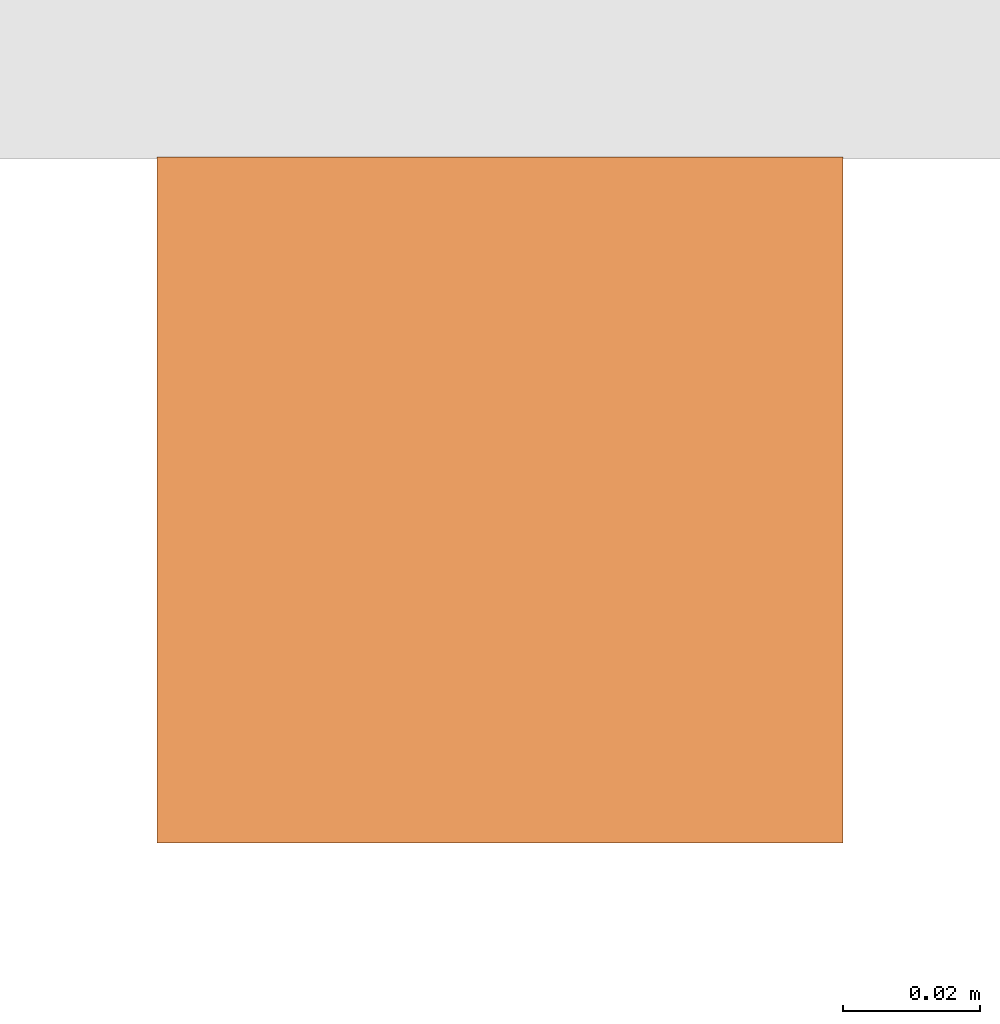
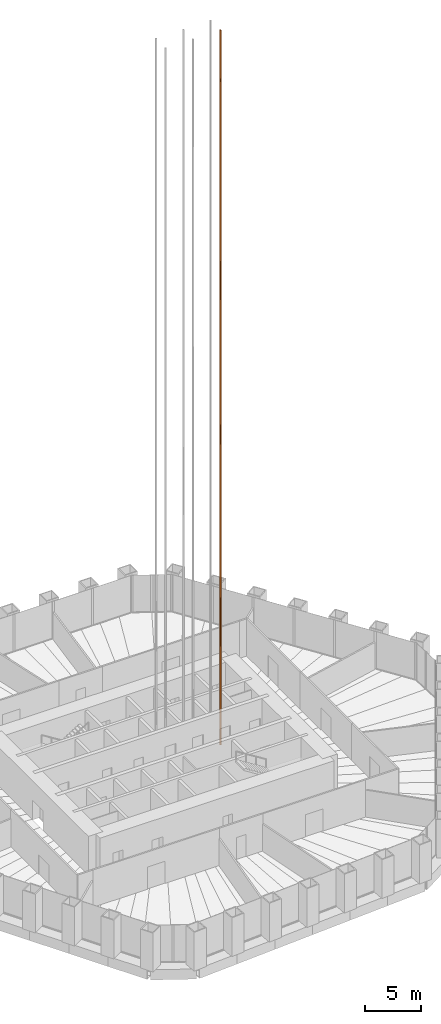
# One storey, part 19 of 20: 1 proxy.
"""IFC4 building model written with IfcOpenShell, lengths in metres."""

from ifc_helpers import new_model, si_unit, direction, frame, origin, origin_2d, place, context, subcontext, project, spatial, rectangle, extrude, material, type_object, element, save


model = new_model("IFC4")

# Units and contexts
model_context = context("Model", 3, precision=1e-05, world=origin(), true_north=direction((0.0, 1.0)))
body_context = subcontext(model_context, "Body", "Model", "MODEL_VIEW")
ifc_project = project(units=[si_unit("LENGTHUNIT", "METRE"), si_unit("AREAUNIT", "SQUARE_METRE"), si_unit("VOLUMEUNIT", "CUBIC_METRE"), si_unit("PLANEANGLEUNIT", "RADIAN"), si_unit("MASSUNIT", "GRAM", prefix="KILO")], contexts=[model_context])

# Site, building, storey
site_placement = place(None, origin())
site = spatial("IfcSite", under=ifc_project, at=site_placement, CompositionType="ELEMENT")
building_placement = place(site_placement, origin())
building = spatial("IfcBuilding", under=site, at=building_placement, Name="Qingtian Harvest Tower", CompositionType="ELEMENT")
storey_placement = place(building_placement, frame((0.0, 0.0, 103.0)))
storey = spatial("IfcBuildingStorey", under=building, at=storey_placement, Name="L20", CompositionType="ELEMENT", Elevation=103.0)

# Proxy
ifc_material = material(Name="Steel SN490B", Category="steel")
building_element_proxy_type = type_object("IfcBuildingElementProxyType", Name="Lift guide rail LR1", PredefinedType="NOTDEFINED", material=ifc_material)
proxy_placement = place(storey_placement, frame((7.5, 2.675048828125, 0.0), z_axis=(0.0, 0.0, 1.0), x_axis=(1.0, 0.0, 0.0)))
element("IfcBuildingElementProxy", 1, at=proxy_placement, inside=storey, type_object=building_element_proxy_type, Name="Lift PLB3 guide rail 1", PredefinedType="NOTDEFINED", context=body_context, shape_type="SweptSolid", body=[
    extrude(rectangle(XDim=0.10009765625, YDim=0.10009765625, at=origin_2d()), origin(), (0.0, 0.0, 1.0), 77.39990234375),
])

save(model, "model.ifc")
